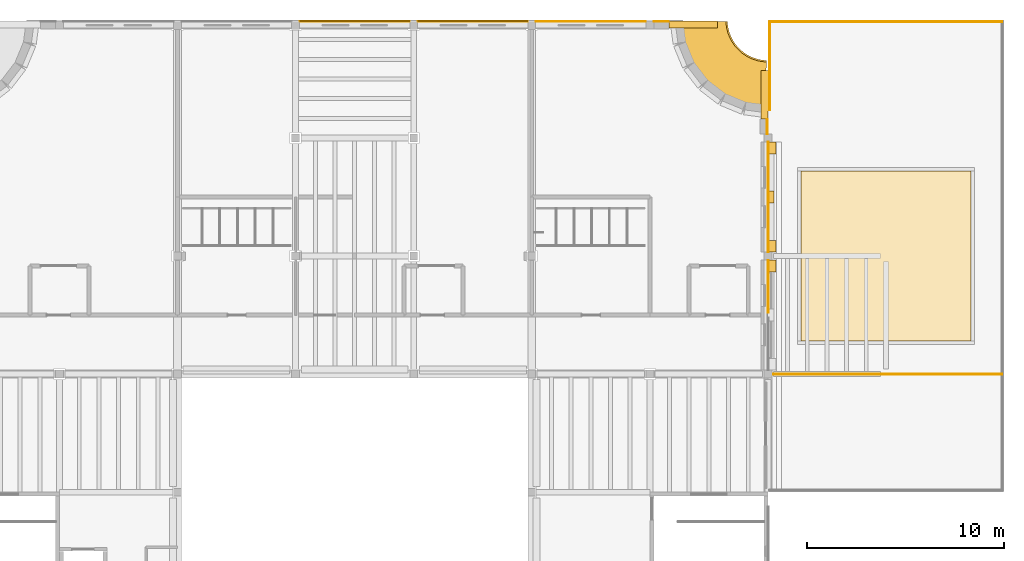
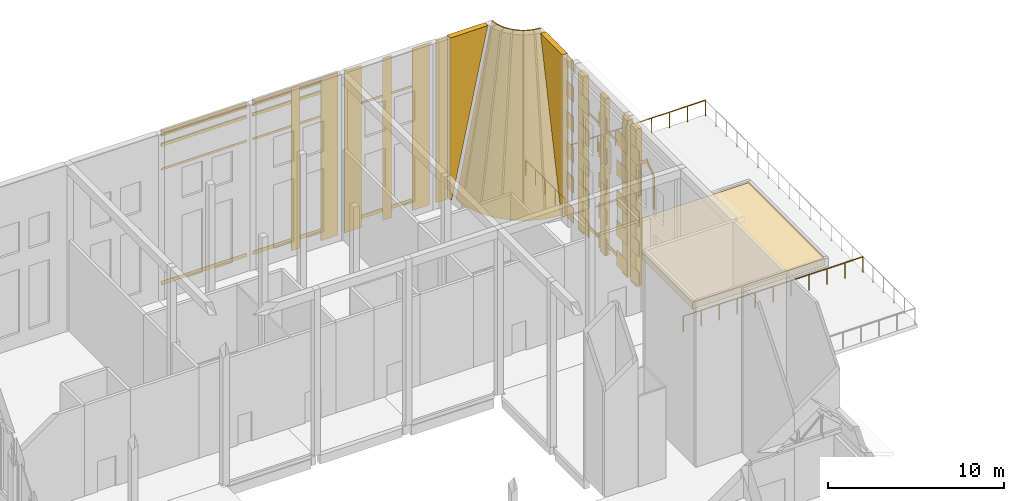
# One storey, part 116 of 118: 57 coverings, 3 railings.
"""IFC4 building model written with IfcOpenShell, lengths in metres."""

from ifc_helpers import new_model, entity, si_unit, direction, frame, origin, origin_2d, place, context, subcontext, project, spatial, polyline, rectangle, circle, outline, extrude, material, layer, layer_set, type_object, element, save


model = new_model("IFC4")

# Units and contexts
model_context = context("Model", 3, precision=1e-05, world=origin(), true_north=direction((0.0, 1.0)))
body_context = subcontext(model_context, "Body", "Model", "MODEL_VIEW")
ifc_project = project(units=[si_unit("LENGTHUNIT", "METRE"), si_unit("AREAUNIT", "SQUARE_METRE"), si_unit("VOLUMEUNIT", "CUBIC_METRE"), si_unit("PLANEANGLEUNIT", "RADIAN"), si_unit("MASSUNIT", "GRAM", prefix="KILO")], contexts=[model_context])

# Site, building, storey
site_placement = place(None, origin())
site = spatial("IfcSite", under=ifc_project, at=site_placement, CompositionType="ELEMENT")
building_placement = place(site_placement, origin())
building = spatial("IfcBuilding", under=site, at=building_placement, Name="Saffron Lane Theatres", CompositionType="ELEMENT")
storey_placement = place(building_placement, frame((0.0, 0.0, 16.5)))
storey = spatial("IfcBuildingStorey", under=building, at=storey_placement, Name="L03", CompositionType="ELEMENT", Elevation=16.5)

# Coverings
ifc_material_1 = material(Name="Masonry sandstone", Category="masonry")
ifc_layer_1 = layer(ifc_material_1, 0.179931640625)
ifc_layer_set_1 = layer_set([ifc_layer_1], Name="Masonry sandstone")
covering_type_1 = type_object("IfcCoveringType", Name="EX-EAVES CORNICE SANDSTONE 180", PredefinedType="CLADDING", material=ifc_layer_set_1)
for number, where, z_axis, x_axis, name in (
    (1, (33.0, 125.948974609375, 11.31005859375), (0.0, 0.0, 1.0), (1.0, 0.0, 0.0), "Eaves cornice L03"),
    (2, (33.0, 125.948974609375, 11.18017578125), (0.0, 0.0, 1.0), (1.0, 0.0, 0.0), "Eaves cornice L03"),
):
    element("IfcCovering", number, at=place(storey_placement, frame(where, z_axis=z_axis, x_axis=x_axis)), inside=storey, type_object=covering_type_1, Name=name, PredefinedType="CLADDING", context=body_context, shape_type="SweptSolid", body=[
        extrude(rectangle(XDim=5.60009765625, YDim=0.096923828125, at=origin_2d()), origin(), (0.0, 0.0, 1.0), 0.1298828125),
    ])
covering_1_placement = place(storey_placement, frame((33.0, 125.93994140625, 11.050048828125), z_axis=(0.0, 0.0, 1.0), x_axis=(1.0, 0.0, 0.0)))
element("IfcCovering", 3, at=covering_1_placement, inside=storey, type_object=covering_type_1, Name="Eaves cornice L03", PredefinedType="CLADDING", context=body_context, shape_type="SweptSolid", body=[
    extrude(rectangle(XDim=5.60009765625, YDim=0.080078125, at=origin_2d()), origin(), (0.0, 0.0, 1.0), 0.1298828125),
])
for number, where, z_axis, x_axis, name in (
    (4, (39.0, 125.948974609375, 11.31005859375), (0.0, 0.0, 1.0), (1.0, 0.0, 0.0), "Eaves cornice L03"),
    (5, (39.0, 125.948974609375, 11.18017578125), (0.0, 0.0, 1.0), (1.0, 0.0, 0.0), "Eaves cornice L03"),
):
    element("IfcCovering", number, at=place(storey_placement, frame(where, z_axis=z_axis, x_axis=x_axis)), inside=storey, type_object=covering_type_1, Name=name, PredefinedType="CLADDING", context=body_context, shape_type="SweptSolid", body=[
        extrude(rectangle(XDim=5.60009765625, YDim=0.096923828125, at=origin_2d()), origin(), (0.0, 0.0, 1.0), 0.1298828125),
    ])
covering_2_placement = place(storey_placement, frame((39.0, 125.93994140625, 11.050048828125), z_axis=(0.0, 0.0, 1.0), x_axis=(1.0, 0.0, 0.0)))
element("IfcCovering", 6, at=covering_2_placement, inside=storey, type_object=covering_type_1, Name="Eaves cornice L03", PredefinedType="CLADDING", context=body_context, shape_type="SweptSolid", body=[
    extrude(rectangle(XDim=5.60009765625, YDim=0.080078125, at=origin_2d()), origin(), (0.0, 0.0, 1.0), 0.1298828125),
])
ifc_material_2 = material(Name="Masonry sandstone", Category="masonry")
ifc_layer_2 = layer(ifc_material_2, 0.1201171875)
ifc_layer_set_2 = layer_set([ifc_layer_2], Name="Masonry sandstone")
covering_type_2 = type_object("IfcCoveringType", Name="EX-EAVES STRING COURSE SANDSTONE 120", PredefinedType="CLADDING", material=ifc_layer_set_2)
for number, where, z_axis, x_axis, name in (
    (7, (33.0, 125.948974609375, 10.35009765625), (0.0, 0.0, 1.0), (1.0, 0.0, 0.0), "Eaves string course L03"),
    (8, (39.0, 125.948974609375, 10.35009765625), (0.0, 0.0, 1.0), (1.0, 0.0, 0.0), "Eaves string course L03"),
):
    element("IfcCovering", number, at=place(storey_placement, frame(where, z_axis=z_axis, x_axis=x_axis)), inside=storey, type_object=covering_type_2, Name=name, PredefinedType="CLADDING", context=body_context, shape_type="SweptSolid", body=[
        extrude(rectangle(XDim=5.60009765625, YDim=0.096923828125, at=origin_2d()), origin(), (0.0, 0.0, 1.0), 0.199951171875),
    ])
ifc_material_3 = material(Name="Masonry pale clay brick", Category="masonry")
ifc_layer_3 = layer(ifc_material_3, 0.35009765625)
ifc_layer_set_3 = layer_set([ifc_layer_3], Name="Masonry pale clay brick")
covering_type_3 = type_object("IfcCoveringType", Name="EX-END INFILL CLADDING BRICK 350", PredefinedType="CLADDING", material=ifc_layer_set_3)
covering_3_placement = place(storey_placement, frame((48.9638671875, 125.93994140625, 0.25), z_axis=(0.0, 1.0, 0.0), x_axis=(0.0, 0.0, 1.0)))
element("IfcCovering", 9, at=covering_3_placement, inside=storey, type_object=covering_type_3, Name="Wall end infill L03 09", PredefinedType="CLADDING", context=body_context, shape_type="SweptSolid", body=[
    extrude(outline(polyline([(0.0, 0.0), (11.25, 0.0), (11.25, 2.470703125), (0.0, 0.10986328125), (0.0, 0.0)])), origin(), (0.0, 0.0, -1.0), 0.35009765625),
])
covering_4_placement = place(storey_placement, frame((54.0, 120.96337890625, 11.5), z_axis=(1.0, 0.0, 0.0), x_axis=(0.0, 0.0, -1.0)))
element("IfcCovering", 10, at=covering_4_placement, inside=storey, type_object=covering_type_3, Name="Wall end infill L03 11", PredefinedType="CLADDING", context=body_context, shape_type="SweptSolid", body=[
    extrude(outline(polyline([(0.0, 0.0), (11.25, 0.0), (11.25, 0.10986328125), (0.0, 2.470703125), (0.0, 0.0)])), origin(), (0.0, 0.0, -1.0), 0.35009765625),
])
ifc_material_4 = material(Name="Face brick cladding, pale buff", Category="masonry")
ifc_layer_4 = layer(ifc_material_4, 0.0400390625)
ifc_layer_set_4 = layer_set([ifc_layer_4], Name="Face brick cladding, pale buff")
covering_type_4 = type_object("IfcCoveringType", Name="EX-FACE BRICK CLADDING PALE BUFF 40", PredefinedType="CLADDING", material=ifc_layer_set_4)
covering_5_placement = place(storey_placement, frame((39.0, 125.919921875, 0.14990234375), z_axis=(0.0, 0.0, 1.0), x_axis=(1.0, 0.0, 0.0)))
element("IfcCovering", 11, at=covering_5_placement, inside=storey, type_object=covering_type_4, Name="Cladding course L03", PredefinedType="CLADDING", context=body_context, shape_type="SweptSolid", body=[
    extrude(rectangle(XDim=0.56005859375, YDim=0.0400390625, at=origin_2d()), origin(), (0.0, 0.0, 1.0), 11.25),
])
for number, where, z_axis, x_axis, name in (
    (12, (41.235107421875, 125.919921875, 0.14990234375), (0.0, 0.0, 1.0), (1.0, 0.0, 0.0), "Cladding course L03"),
    (13, (42.764892578125, 125.919921875, 0.14990234375), (0.0, 0.0, 1.0), (1.0, 0.0, 0.0), "Cladding course L03"),
):
    element("IfcCovering", number, at=place(storey_placement, frame(where, z_axis=z_axis, x_axis=x_axis)), inside=storey, type_object=covering_type_4, Name=name, PredefinedType="CLADDING", context=body_context, shape_type="SweptSolid", body=[
        extrude(rectangle(XDim=1.1298828125, YDim=0.0400390625, at=origin_2d()), origin(), (0.0, 0.0, 1.0), 11.25),
    ])
covering_6_placement = place(storey_placement, frame((45.0, 125.919921875, 0.14990234375), z_axis=(0.0, 0.0, 1.0), x_axis=(1.0, 0.0, 0.0)))
element("IfcCovering", 14, at=covering_6_placement, inside=storey, type_object=covering_type_4, Name="Cladding course L03", PredefinedType="CLADDING", context=body_context, shape_type="SweptSolid", body=[
    extrude(rectangle(XDim=0.56005859375, YDim=0.0400390625, at=origin_2d()), origin(), (0.0, 0.0, 1.0), 11.25),
])
covering_7_placement = place(storey_placement, frame((47.235107421875, 125.919921875, 0.14990234375), z_axis=(0.0, 0.0, 1.0), x_axis=(1.0, 0.0, 0.0)))
element("IfcCovering", 15, at=covering_7_placement, inside=storey, type_object=covering_type_4, Name="Cladding course L03", PredefinedType="CLADDING", context=body_context, shape_type="SweptSolid", body=[
    extrude(rectangle(XDim=1.1298828125, YDim=0.0400390625, at=origin_2d()), origin(), (0.0, 0.0, 1.0), 11.25),
])
covering_8_placement = place(storey_placement, frame((48.58203125, 125.919921875, 0.14990234375), z_axis=(0.0, 0.0, 1.0), x_axis=(1.0, 0.0, 0.0)))
element("IfcCovering", 16, at=covering_8_placement, inside=storey, type_object=covering_type_4, Name="Cladding course L03", PredefinedType="CLADDING", context=body_context, shape_type="SweptSolid", body=[
    extrude(rectangle(XDim=0.763916015625, YDim=0.0400390625, at=origin_2d()), origin(), (0.0, 0.0, 1.0), 11.25),
])
for number, where, z_axis, x_axis, name in (
    (17, (53.969970703125, 120.58203125, 0.14990234375), (0.0, 0.0, 1.0), (0.0, -1.0, 0.0), "Cladding course L03"),
    (18, (53.969970703125, 120.58203125, 2.25), (0.0, 0.0, 1.0), (0.0, -1.0, 0.0), "Cladding course L03"),
    (19, (53.969970703125, 120.58203125, 4.35009765625), (0.0, 0.0, 1.0), (0.0, -1.0, 0.0), "Cladding course L03"),
    (20, (53.969970703125, 120.58203125, 6.4501953125), (0.0, 0.0, 1.0), (0.0, -1.0, 0.0), "Cladding course L03"),
    (21, (53.969970703125, 120.58203125, 8.5498046875), (0.0, 0.0, 1.0), (0.0, -1.0, 0.0), "Cladding course L03"),
):
    element("IfcCovering", number, at=place(storey_placement, frame(where, z_axis=z_axis, x_axis=x_axis)), inside=storey, type_object=covering_type_4, Name=name, PredefinedType="CLADDING", context=body_context, shape_type="SweptSolid", body=[
        extrude(rectangle(XDim=0.762939453125, YDim=0.0400390625, at=origin_2d()), origin(), (0.0, 0.0, 1.0), 1.050048828125),
    ])
covering_9_placement = place(storey_placement, frame((53.969970703125, 120.58203125, 10.64990234375), z_axis=(0.0, 0.0, 1.0), x_axis=(0.0, -1.0, 0.0)))
element("IfcCovering", 22, at=covering_9_placement, inside=storey, type_object=covering_type_4, Name="Cladding course L03", PredefinedType="CLADDING", context=body_context, shape_type="SweptSolid", body=[
    extrude(rectangle(XDim=0.762939453125, YDim=0.0400390625, at=origin_2d()), origin(), (0.0, 0.0, 1.0), 0.75),
])
covering_10_placement = place(storey_placement, frame((54.02001953125, 119.18505859375, 0.14990234375), z_axis=(0.0, 0.0, 1.0), x_axis=(0.0, -1.0, 0.0)))
element("IfcCovering", 23, at=covering_10_placement, inside=storey, type_object=covering_type_4, Name="Cladding course L03", PredefinedType="CLADDING", context=body_context, shape_type="SweptSolid", body=[
    extrude(rectangle(XDim=1.22998046875, YDim=0.0400390625, at=origin_2d()), origin(), (0.0, 0.0, 1.0), 1.050048828125),
])
covering_11_placement = place(storey_placement, frame((54.02001953125, 117.0, 0.14990234375), z_axis=(0.0, 0.0, 1.0), x_axis=(0.0, -1.0, 0.0)))
element("IfcCovering", 24, at=covering_11_placement, inside=storey, type_object=covering_type_4, Name="Cladding course L03", PredefinedType="CLADDING", context=body_context, shape_type="SweptSolid", body=[
    extrude(rectangle(XDim=0.860107421875, YDim=0.0400390625, at=origin_2d()), origin(), (0.0, 0.0, 1.0), 1.050048828125),
])
for number, where, z_axis, x_axis, name in (
    (25, (54.02001953125, 114.81494140625, 0.14990234375), (0.0, 0.0, 1.0), (0.0, -1.0, 0.0), "Cladding course L03"),
    (26, (54.02001953125, 119.18505859375, 2.25), (0.0, 0.0, 1.0), (0.0, -1.0, 0.0), "Cladding course L03"),
):
    element("IfcCovering", number, at=place(storey_placement, frame(where, z_axis=z_axis, x_axis=x_axis)), inside=storey, type_object=covering_type_4, Name=name, PredefinedType="CLADDING", context=body_context, shape_type="SweptSolid", body=[
        extrude(rectangle(XDim=1.22998046875, YDim=0.0400390625, at=origin_2d()), origin(), (0.0, 0.0, 1.0), 1.050048828125),
    ])
covering_12_placement = place(storey_placement, frame((54.02001953125, 117.0, 2.25), z_axis=(0.0, 0.0, 1.0), x_axis=(0.0, -1.0, 0.0)))
element("IfcCovering", 27, at=covering_12_placement, inside=storey, type_object=covering_type_4, Name="Cladding course L03", PredefinedType="CLADDING", context=body_context, shape_type="SweptSolid", body=[
    extrude(rectangle(XDim=0.860107421875, YDim=0.0400390625, at=origin_2d()), origin(), (0.0, 0.0, 1.0), 1.050048828125),
])
for number, where, z_axis, x_axis, name in (
    (28, (54.02001953125, 114.81494140625, 2.25), (0.0, 0.0, 1.0), (0.0, -1.0, 0.0), "Cladding course L03"),
    (29, (54.02001953125, 119.18505859375, 4.35009765625), (0.0, 0.0, 1.0), (0.0, -1.0, 0.0), "Cladding course L03"),
):
    element("IfcCovering", number, at=place(storey_placement, frame(where, z_axis=z_axis, x_axis=x_axis)), inside=storey, type_object=covering_type_4, Name=name, PredefinedType="CLADDING", context=body_context, shape_type="SweptSolid", body=[
        extrude(rectangle(XDim=1.22998046875, YDim=0.0400390625, at=origin_2d()), origin(), (0.0, 0.0, 1.0), 1.050048828125),
    ])
covering_13_placement = place(storey_placement, frame((54.02001953125, 117.0, 4.35009765625), z_axis=(0.0, 0.0, 1.0), x_axis=(0.0, -1.0, 0.0)))
element("IfcCovering", 30, at=covering_13_placement, inside=storey, type_object=covering_type_4, Name="Cladding course L03", PredefinedType="CLADDING", context=body_context, shape_type="SweptSolid", body=[
    extrude(rectangle(XDim=0.860107421875, YDim=0.0400390625, at=origin_2d()), origin(), (0.0, 0.0, 1.0), 1.050048828125),
])
for number, where, z_axis, x_axis, name in (
    (31, (54.02001953125, 114.81494140625, 4.35009765625), (0.0, 0.0, 1.0), (0.0, -1.0, 0.0), "Cladding course L03"),
    (32, (54.02001953125, 119.18505859375, 6.4501953125), (0.0, 0.0, 1.0), (0.0, -1.0, 0.0), "Cladding course L03"),
):
    element("IfcCovering", number, at=place(storey_placement, frame(where, z_axis=z_axis, x_axis=x_axis)), inside=storey, type_object=covering_type_4, Name=name, PredefinedType="CLADDING", context=body_context, shape_type="SweptSolid", body=[
        extrude(rectangle(XDim=1.22998046875, YDim=0.0400390625, at=origin_2d()), origin(), (0.0, 0.0, 1.0), 1.050048828125),
    ])
covering_14_placement = place(storey_placement, frame((54.02001953125, 117.0, 6.4501953125), z_axis=(0.0, 0.0, 1.0), x_axis=(0.0, -1.0, 0.0)))
element("IfcCovering", 33, at=covering_14_placement, inside=storey, type_object=covering_type_4, Name="Cladding course L03", PredefinedType="CLADDING", context=body_context, shape_type="SweptSolid", body=[
    extrude(rectangle(XDim=0.860107421875, YDim=0.0400390625, at=origin_2d()), origin(), (0.0, 0.0, 1.0), 1.050048828125),
])
for number, where, z_axis, x_axis, name in (
    (34, (54.02001953125, 114.81494140625, 6.4501953125), (0.0, 0.0, 1.0), (0.0, -1.0, 0.0), "Cladding course L03"),
    (35, (54.02001953125, 119.18505859375, 8.5498046875), (0.0, 0.0, 1.0), (0.0, -1.0, 0.0), "Cladding course L03"),
):
    element("IfcCovering", number, at=place(storey_placement, frame(where, z_axis=z_axis, x_axis=x_axis)), inside=storey, type_object=covering_type_4, Name=name, PredefinedType="CLADDING", context=body_context, shape_type="SweptSolid", body=[
        extrude(rectangle(XDim=1.22998046875, YDim=0.0400390625, at=origin_2d()), origin(), (0.0, 0.0, 1.0), 1.050048828125),
    ])
covering_15_placement = place(storey_placement, frame((54.02001953125, 117.0, 8.5498046875), z_axis=(0.0, 0.0, 1.0), x_axis=(0.0, -1.0, 0.0)))
element("IfcCovering", 36, at=covering_15_placement, inside=storey, type_object=covering_type_4, Name="Cladding course L03", PredefinedType="CLADDING", context=body_context, shape_type="SweptSolid", body=[
    extrude(rectangle(XDim=0.860107421875, YDim=0.0400390625, at=origin_2d()), origin(), (0.0, 0.0, 1.0), 1.050048828125),
])
covering_16_placement = place(storey_placement, frame((54.02001953125, 114.81494140625, 8.5498046875), z_axis=(0.0, 0.0, 1.0), x_axis=(0.0, -1.0, 0.0)))
element("IfcCovering", 37, at=covering_16_placement, inside=storey, type_object=covering_type_4, Name="Cladding course L03", PredefinedType="CLADDING", context=body_context, shape_type="SweptSolid", body=[
    extrude(rectangle(XDim=1.22998046875, YDim=0.0400390625, at=origin_2d()), origin(), (0.0, 0.0, 1.0), 1.050048828125),
])
for number, where, z_axis, x_axis, name in (
    (38, (54.02001953125, 113.3349609375, 0.14990234375), (0.0, 0.0, 1.0), (0.0, -1.0, 0.0), "Cladding course L03"),
    (39, (54.02001953125, 113.3349609375, 2.25), (0.0, 0.0, 1.0), (0.0, -1.0, 0.0), "Cladding course L03"),
    (40, (54.02001953125, 113.3349609375, 4.35009765625), (0.0, 0.0, 1.0), (0.0, -1.0, 0.0), "Cladding course L03"),
    (41, (54.02001953125, 113.3349609375, 6.4501953125), (0.0, 0.0, 1.0), (0.0, -1.0, 0.0), "Cladding course L03"),
    (42, (54.02001953125, 113.3349609375, 8.5498046875), (0.0, 0.0, 1.0), (0.0, -1.0, 0.0), "Cladding course L03"),
):
    element("IfcCovering", number, at=place(storey_placement, frame(where, z_axis=z_axis, x_axis=x_axis)), inside=storey, type_object=covering_type_4, Name=name, PredefinedType="CLADDING", context=body_context, shape_type="SweptSolid", body=[
        extrude(rectangle(XDim=0.929931640625, YDim=0.0400390625, at=origin_2d()), origin(), (0.0, 0.0, 1.0), 1.050048828125),
    ])
ifc_material_5 = material(Name="Masonry sandstone", Category="masonry")
ifc_layer_5 = layer(ifc_material_5, 0.0400390625)
ifc_layer_set_5 = layer_set([ifc_layer_5], Name="Masonry sandstone")
covering_type_5 = type_object("IfcCoveringType", Name="EX-HEAD COURSE SANDSTONE 150", PredefinedType="CLADDING", material=ifc_layer_set_5)
for number, where, z_axis, x_axis, name in (
    (43, (33.0, 125.920166015625, 8.699951171875), (0.0, 0.0, 1.0), (1.0, 0.0, 0.0), "Facade head course L03"),
    (44, (39.0, 125.920166015625, 8.699951171875), (0.0, 0.0, 1.0), (1.0, 0.0, 0.0), "Facade head course L03"),
    (45, (45.0, 125.920166015625, 8.699951171875), (0.0, 0.0, 1.0), (1.0, 0.0, 0.0), "Facade head course L03"),
    (46, (54.02001953125, 117.0, 8.699951171875), (0.0, 0.0, 1.0), (0.0, -1.0, 0.0), "Facade head course L03"),
):
    element("IfcCovering", number, at=place(storey_placement, frame(where, z_axis=z_axis, x_axis=x_axis)), inside=storey, type_object=covering_type_5, Name=name, PredefinedType="CLADDING", context=body_context, shape_type="SweptSolid", body=[
        extrude(rectangle(XDim=5.60009765625, YDim=0.0400390625, at=origin_2d()), origin(), (0.0, 0.0, 1.0), 0.14990234375),
    ])
ifc_material_6 = material(Name="Masonry sandstone", Category="masonry")
ifc_layer_6 = layer(ifc_material_6, 0.050048828125)
ifc_layer_set_6 = layer_set([ifc_layer_6], Name="Masonry sandstone")
covering_type_6 = type_object("IfcCoveringType", Name="EX-HOOD RING SANDSTONE 50", PredefinedType="CLADDING", material=ifc_layer_set_6)
covering_17_placement = place(storey_placement, frame((54.0, 112.864013671875, 8.825927734375), z_axis=(-1.0, 0.0, 0.0), x_axis=(0.0, 0.084443076686, -0.996428304897)))
element("IfcCovering", 47, at=covering_17_placement, inside=storey, type_object=covering_type_6, Name="Window hood ring L03", PredefinedType="CLADDING", context=body_context, shape_type="SweptSolid", body=[
    extrude(outline(polyline([(0.0, 0.0), (0.07227964522991924, -8.673617379884035e-19), (2.2183954913726747, 0.18187422424938607), (2.2014903832470236, 0.3813545001320725), (0.06315913323627513, 0.20013998741929723), (0.018067849708927903, 0.20023894414978885), (-0.0145631321706831, 0.20653918932442183), (-0.04468721021117312, 0.21795219890778844), (-0.07313727022751326, 0.23563246808895752), (-0.10348400091160942, 0.26123752210366363), (-0.13449044313231637, 0.29462717225037705), (-0.16814397789367408, 0.3361230279031955), (-0.2044033732246444, 0.3852385518038685), (-0.24302123729899833, 0.4390545204028934), (-0.28523452924788095, 0.49771112240179993), (-0.3327255134896499, 0.5608207772728292), (-0.3852674141835952, 0.6257075300956039), (-0.4440559584898239, 0.6920250323134031), (-0.5119279060157623, 0.758552817583497), (-0.5811481389946491, 0.8178608847248068), (-0.5228956103119167, 0.887971728278118), (-0.4671870942422396, 0.9649724341919081), (-0.42039705350811957, 1.0402372741249915), (-0.3795238006179775, 1.1130405653870954), (-0.34333037644066833, 1.1832421192766907), (-0.31159000513548185, 1.2481659808733996), (-0.28257919031302253, 1.3077131934467305), (-0.25501974087110696, 1.3612570310369034), (-0.2289116568097351, 1.4087974936439185), (-0.20396631433163975, 1.4469288204600217), (-0.17836126031693364, 1.477275551144118), (-0.15329222192572375, 1.4994913371394862), (-0.12551836623440968, 1.5158109512763955), (-0.09441296728321111, 1.5275125846570292), (-0.04998139529247468, 1.535198224058545), (2.0883498547182735, 1.7164127367713202), (2.0714447465926225, 1.9158930126540068), (-0.07467109955013333, 1.7340187884046208), (-0.14591994550409823, 1.7218553569483592), (-0.21315692067604877, 1.6970460799746898), (-0.2723289223129325, 1.6609145037539377), (-0.3227102677244774, 1.6164623157776823), (-0.36456896472243183, 1.5668520082245512), (-0.4001562789254799, 1.5126278431122484), (-0.43160390323629527, 1.4558143102187484), (-0.4616496405318128, 1.3969144395907165), (-0.49146860198662035, 1.3353386140423074), (-0.5214277521429577, 1.2725258293627528), (-0.5551967364232222, 1.208410114398392), (-0.5918024803109132, 1.1430739330913013), (-0.6331911328390325, 1.076352357557328), (-0.6817170395538596, 1.010005992959802), (-0.7363246619968173, 0.9431442287242988), (-0.8820714332225553, 0.792358910637696), (-0.7129461344181727, 0.6672776032962909), (-0.647948055273595, 0.6115319784526796), (-0.5888667639729953, 0.5533248049380891), (-0.5369227268591035, 0.4954928423599461), (-0.48984406232771627, 0.4372485600714213), (-0.4457670852879081, 0.3797299604731684), (-0.40566487025618, 0.32285457962311104), (-0.36590900378117247, 0.2671749259331607), (-0.3263799131468749, 0.21417122716358789), (-0.2858200232366231, 0.16346002598373752), (-0.24161522708659655, 0.11599790412169526), (-0.19200491953346546, 0.07413920712374089), (-0.13486153087165995, 0.03879928474692186), (-0.07045306891292813, 0.013140629169866094), (0.0, 0.0)])), origin(), (0.0, 0.0, -1.0), 0.050048828125),
])
ifc_material_7 = material(Name="Masonry sandstone", Category="masonry")
ifc_layer_7 = layer(ifc_material_7, 0.39990234375)
ifc_layer_set_7 = layer_set([ifc_layer_7], Name="Masonry sandstone")
covering_type_7 = type_object("IfcCoveringType", Name="EX-PILASTER PIER SANDSTONE 400", PredefinedType="CLADDING", material=ifc_layer_set_7)
for number, where, z_axis, x_axis, name in (
    (48, (54.199951171875, 119.5, 0.0), (0.0, 0.0, 1.0), (0.0, -1.0, 0.0), "Pilaster pier L03"),
    (49, (54.199951171875, 114.5, 0.0), (0.0, 0.0, 1.0), (0.0, -1.0, 0.0), "Pilaster pier L03"),
    (50, (54.199951171875, 113.5, 0.0), (0.0, 0.0, 1.0), (0.0, -1.0, 0.0), "Pilaster pier L03"),
):
    element("IfcCovering", number, at=place(storey_placement, frame(where, z_axis=z_axis, x_axis=x_axis)), inside=storey, type_object=covering_type_7, Name=name, PredefinedType="CLADDING", context=body_context, shape_type="SweptSolid", body=[
        extrude(rectangle(XDim=0.60009765625, YDim=0.39990234375, at=origin_2d()), origin(), (0.0, 0.0, 1.0), 10.89990234375),
    ])
ifc_material_8 = material(Name="Masonry pale clay brick", Category="masonry")
ifc_layer_8 = layer(ifc_material_8, 0.300048828125)
ifc_layer_set_8 = layer_set([ifc_layer_8], Name="Masonry pale clay brick")
covering_type_8 = type_object("IfcCoveringType", Name="EX-PILASTER STRIP BRICK 300", PredefinedType="CLADDING", material=ifc_layer_set_8)
covering_18_placement = place(storey_placement, frame((54.14990234375, 117.0, 0.0), z_axis=(0.0, 0.0, 1.0), x_axis=(0.0, -1.0, 0.0)))
element("IfcCovering", 51, at=covering_18_placement, inside=storey, type_object=covering_type_8, Name="Pilaster strip L03", PredefinedType="CLADDING", context=body_context, shape_type="SweptSolid", body=[
    extrude(rectangle(XDim=0.60009765625, YDim=0.300048828125, at=origin_2d()), origin(), (0.0, 0.0, 1.0), 10.89990234375),
])
ifc_material_9 = material(Name="Growing medium topsoil", Category="soil")
ifc_layer_9 = layer(ifc_material_9, 0.5)
ifc_layer_set_9 = layer_set([ifc_layer_9], Name="Growing medium topsoil")
covering_type_9 = type_object("IfcCoveringType", Name="EX-PLANTING BED GROWING MEDIUM 500", PredefinedType="CLADDING", material=ifc_layer_set_9)
covering_19_placement = place(storey_placement, origin())
element("IfcCovering", 52, at=covering_19_placement, inside=storey, type_object=covering_type_9, Name="Planting bed E", PredefinedType="CLADDING", context=body_context, shape_type="SweptSolid", body=[
    extrude(outline(polyline([(55.675048828125, 109.675048828125), (64.324951171875, 109.675048828125), (64.324951171875, 118.324951171875), (55.675048828125, 118.324951171875), (55.675048828125, 109.675048828125)])), origin(), (0.0, 0.0, 1.0), 0.5),
])
ifc_material_10 = material(Name="Face brick cladding, pale buff", Category="masonry")
ifc_layer_10 = layer(ifc_material_10, 0.080078125)
ifc_layer_set_10 = layer_set([ifc_layer_10], Name="Face brick cladding, pale buff")
covering_type_10 = type_object("IfcCoveringType", Name="EX-SCOOP SKIN FACE BRICK PALE BUFF 80", PredefinedType="CLADDING", material=ifc_layer_set_10)
covering_20_placement = place(storey_placement, frame((54.0, 125.99951171875, -16.5), z_axis=(0.0, 0.0, 1.0), x_axis=(-0.99942, -0.034066, 0.0)))
cartesian_point_1 = entity("IfcCartesianPoint", [4.447509765625, 16.5])
cartesian_point_2 = entity("IfcCartesianPoint", [0.0, 0.0, 0.0])
element("IfcCovering", 53, at=covering_20_placement, inside=storey, type_object=covering_type_10, Name="Scoop skin NE L03", PredefinedType="CLADDING", context=body_context, shape_type="SweptSolid", body=[
    entity("IfcRevolvedAreaSolid", entity("IfcArbitraryClosedProfileDef", "AREA", None, entity("IfcPolyline", [cartesian_point_1, entity("IfcCartesianPoint", [4.527587890625, 16.5]), entity("IfcCartesianPoint", [2.134765625, 28.0]), entity("IfcCartesianPoint", [2.0546875, 28.0]), cartesian_point_1])), entity("IfcAxis2Placement3D", cartesian_point_2, entity("IfcDirection", [0.0, -1.0, 0.0]), entity("IfcDirection", [1.0, 0.0, 0.0])), entity("IfcAxis1Placement", cartesian_point_2, entity("IfcDirection", [0.0, 1.0, 0.0])), 1.502651),
])
ifc_material_11 = material(Name="Masonry sandstone", Category="masonry")
ifc_layer_11 = layer(ifc_material_11, 0.0400390625)
ifc_layer_set_11 = layer_set([ifc_layer_11], Name="Masonry sandstone")
covering_type_11 = type_object("IfcCoveringType", Name="EX-SILL COURSE SANDSTONE 250", PredefinedType="CLADDING", material=ifc_layer_set_11)
for number, where, z_axis, x_axis, name in (
    (54, (33.0, 125.920166015625, 0.75), (0.0, 0.0, 1.0), (1.0, 0.0, 0.0), "Facade sill course L03"),
    (55, (39.0, 125.920166015625, 0.75), (0.0, 0.0, 1.0), (1.0, 0.0, 0.0), "Facade sill course L03"),
    (56, (45.0, 125.920166015625, 0.75), (0.0, 0.0, 1.0), (1.0, 0.0, 0.0), "Facade sill course L03"),
    (57, (54.02001953125, 117.0, 0.75), (0.0, 0.0, 1.0), (0.0, -1.0, 0.0), "Facade sill course L03"),
):
    element("IfcCovering", number, at=place(storey_placement, frame(where, z_axis=z_axis, x_axis=x_axis)), inside=storey, type_object=covering_type_11, Name=name, PredefinedType="CLADDING", context=body_context, shape_type="SweptSolid", body=[
        extrude(rectangle(XDim=5.60009765625, YDim=0.0400390625, at=origin_2d()), origin(), (0.0, 0.0, 1.0), 0.25),
    ])

# Railings
railing_1_placement = place(storey_placement, frame((54.10009765625, 125.89990234375, 0.0)))
element("IfcRailing", 58, at=railing_1_placement, inside=storey, Name="Roof garden guard E", PredefinedType="GUARDRAIL", context=body_context, shape_type="SweptSolid", body=[
    extrude(circle(Radius=0.02392578125, at=origin_2d()), frame((0.0, 0.0, 1.076171875), z_axis=(1.0, 0.0, 0.0), x_axis=(0.0, 1.0, 0.0)), (0.0, 0.0, 1.0), 11.7998046875),
    extrude(circle(Radius=0.02099609375, at=origin_2d()), origin(), (0.0, 0.0, 1.0), 1.052001953125),
    extrude(circle(Radius=0.02099609375, at=origin_2d()), frame((1.179931640625, 0.0, 0.0)), (0.0, 0.0, 1.0), 1.052001953125),
    extrude(circle(Radius=0.02099609375, at=origin_2d()), frame((2.35986328125, 0.0, 0.0)), (0.0, 0.0, 1.0), 1.052001953125),
    extrude(circle(Radius=0.02099609375, at=origin_2d()), frame((3.5400390625, 0.0, 0.0)), (0.0, 0.0, 1.0), 1.052001953125),
    extrude(circle(Radius=0.02099609375, at=origin_2d()), frame((4.719970703125, 0.0, 0.0)), (0.0, 0.0, 1.0), 1.052001953125),
    extrude(circle(Radius=0.02099609375, at=origin_2d()), frame((5.89990234375, 0.0, 0.0)), (0.0, 0.0, 1.0), 1.052001953125),
    extrude(circle(Radius=0.02099609375, at=origin_2d()), frame((7.079833984375, 0.0, 0.0)), (0.0, 0.0, 1.0), 1.052001953125),
    extrude(circle(Radius=0.02099609375, at=origin_2d()), frame((8.259765625, 0.0, 0.0)), (0.0, 0.0, 1.0), 1.052001953125),
    extrude(circle(Radius=0.02099609375, at=origin_2d()), frame((9.43994140625, 0.0, 0.0)), (0.0, 0.0, 1.0), 1.052001953125),
    extrude(circle(Radius=0.02099609375, at=origin_2d()), frame((10.619873046875, 0.0, 0.0)), (0.0, 0.0, 1.0), 1.052001953125),
    extrude(circle(Radius=0.02099609375, at=origin_2d()), frame((11.7998046875, 0.0, 0.0)), (0.0, 0.0, 1.0), 1.052001953125),
])
railing_2_placement = place(storey_placement, frame((54.10009765625, 121.433349609375, 0.0)))
element("IfcRailing", 59, at=railing_2_placement, inside=storey, Name="Roof garden guard E", PredefinedType="GUARDRAIL", context=body_context, shape_type="SweptSolid", body=[
    extrude(circle(Radius=0.02392578125, at=origin_2d()), frame((0.0, 0.0, 1.076171875), z_axis=(0.0, 1.0, 0.0), x_axis=(-1.0, 0.0, 0.0)), (0.0, 0.0, 1.0), 4.466552734375),
    extrude(circle(Radius=0.02099609375, at=origin_2d()), origin(), (0.0, 0.0, 1.0), 1.052001953125),
    extrude(circle(Radius=0.02099609375, at=origin_2d()), frame((0.0, 1.11669921875, 0.0)), (0.0, 0.0, 1.0), 1.052001953125),
    extrude(circle(Radius=0.02099609375, at=origin_2d()), frame((0.0, 2.2333984375, 0.0)), (0.0, 0.0, 1.0), 1.052001953125),
    extrude(circle(Radius=0.02099609375, at=origin_2d()), frame((0.0, 3.349853515625, 0.0)), (0.0, 0.0, 1.0), 1.052001953125),
    extrude(circle(Radius=0.02099609375, at=origin_2d()), frame((0.0, 4.466552734375, 0.0)), (0.0, 0.0, 1.0), 1.052001953125),
])
railing_3_placement = place(storey_placement, frame((54.10009765625, 108.0, 0.0)))
element("IfcRailing", 60, at=railing_3_placement, inside=storey, Name="Roof garden guard E", PredefinedType="GUARDRAIL", context=body_context, shape_type="SweptSolid", body=[
    extrude(circle(Radius=0.02392578125, at=origin_2d()), frame((0.0, 0.0, 1.076171875), z_axis=(1.0, 0.0, 0.0), x_axis=(0.0, 1.0, 0.0)), (0.0, 0.0, 1.0), 11.7998046875),
    extrude(circle(Radius=0.02099609375, at=origin_2d()), origin(), (0.0, 0.0, 1.0), 1.052001953125),
    extrude(circle(Radius=0.02099609375, at=origin_2d()), frame((1.179931640625, 0.0, 0.0)), (0.0, 0.0, 1.0), 1.052001953125),
    extrude(circle(Radius=0.02099609375, at=origin_2d()), frame((2.35986328125, 0.0, 0.0)), (0.0, 0.0, 1.0), 1.052001953125),
    extrude(circle(Radius=0.02099609375, at=origin_2d()), frame((3.5400390625, 0.0, 0.0)), (0.0, 0.0, 1.0), 1.052001953125),
    extrude(circle(Radius=0.02099609375, at=origin_2d()), frame((4.719970703125, 0.0, 0.0)), (0.0, 0.0, 1.0), 1.052001953125),
    extrude(circle(Radius=0.02099609375, at=origin_2d()), frame((5.89990234375, 0.0, 0.0)), (0.0, 0.0, 1.0), 1.052001953125),
    extrude(circle(Radius=0.02099609375, at=origin_2d()), frame((7.079833984375, 0.0, 0.0)), (0.0, 0.0, 1.0), 1.052001953125),
    extrude(circle(Radius=0.02099609375, at=origin_2d()), frame((8.259765625, 0.0, 0.0)), (0.0, 0.0, 1.0), 1.052001953125),
    extrude(circle(Radius=0.02099609375, at=origin_2d()), frame((9.43994140625, 0.0, 0.0)), (0.0, 0.0, 1.0), 1.052001953125),
    extrude(circle(Radius=0.02099609375, at=origin_2d()), frame((10.619873046875, 0.0, 0.0)), (0.0, 0.0, 1.0), 1.052001953125),
    extrude(circle(Radius=0.02099609375, at=origin_2d()), frame((11.7998046875, 0.0, 0.0)), (0.0, 0.0, 1.0), 1.052001953125),
])

save(model, "model.ifc")
